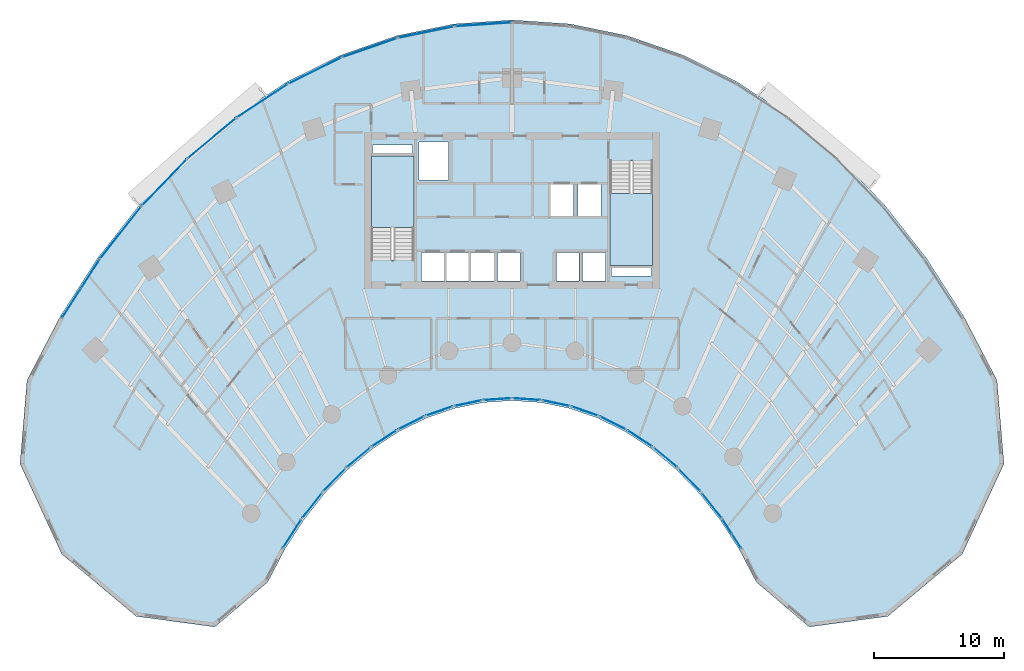
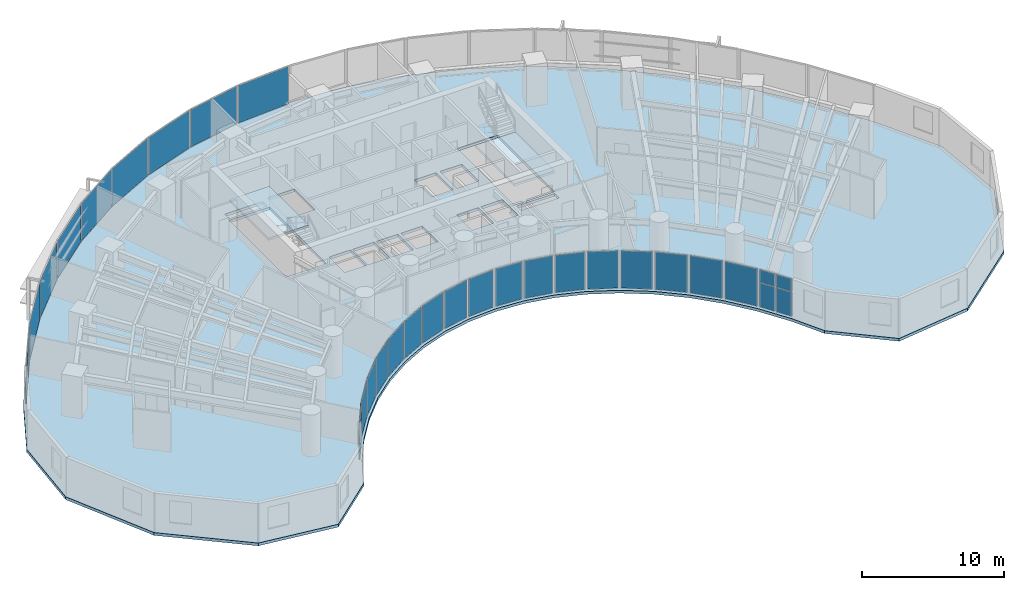
# One storey, part 9 of 17: 33 plates, 3 slabs, 29 elements without a shape of their own.
"""IFC4 building model written with IfcOpenShell, lengths in metres."""

from ifc_helpers import new_model, si_unit, direction, frame, origin, origin_2d, place, context, subcontext, project, spatial, polyline, rectangle, outline, extrude, source, transform, mapped, material, layer, layer_set, type_object, type_shapes, element, aggregate, save


model = new_model("IFC4")

# Units and contexts
model_context = context("Model", 3, precision=1e-05, world=origin(), true_north=direction((0.0, 1.0)))
body_context = subcontext(model_context, "Body", "Model", "MODEL_VIEW")
ifc_project = project(units=[si_unit("LENGTHUNIT", "METRE"), si_unit("AREAUNIT", "SQUARE_METRE"), si_unit("VOLUMEUNIT", "CUBIC_METRE"), si_unit("PLANEANGLEUNIT", "RADIAN"), si_unit("MASSUNIT", "GRAM", prefix="KILO")], contexts=[model_context])

# Site, building, storey
site_placement = place(None, origin())
site = spatial("IfcSite", under=ifc_project, at=site_placement, CompositionType="ELEMENT")
building_placement = place(site_placement, origin())
building = spatial("IfcBuilding", under=site, at=building_placement, Name="Breltana Convention Tower", CompositionType="ELEMENT")
storey_placement = place(building_placement, frame((0.0, 0.0, 46.199951171875)))
storey = spatial("IfcBuildingStorey", under=building, at=storey_placement, Name="L09", CompositionType="ELEMENT", Elevation=46.199951171875)

# Slab
ifc_material_1 = material(Name="Concrete C40/50", Category="concrete")
ifc_layer_1 = layer(ifc_material_1, 0.239990234375, Name="Concrete C40/50")
ifc_layer_set_1 = layer_set([ifc_layer_1], Name="Concrete C40/50")
slab_type_1 = type_object("IfcSlabType", Name="SL-HTL-240", PredefinedType="FLOOR", material=ifc_layer_set_1)
slab_1_placement = place(storey_placement, frame((0.0, 0.0, -0.239990234375)))
element("IfcSlab", 1, at=slab_1_placement, inside=storey, type_object=slab_type_1, Name="L09 Suspended Structural Floor Slab", PredefinedType="FLOOR", context=body_context, shape_type="SweptSolid", body=[
    extrude(outline(polyline([(85.229248046875, 53.173095703125), (82.687744140625, 58.054931640625), (79.791015625, 62.567626953125), (76.569091796875, 66.664794921875), (73.05419921875, 70.304931640625), (69.283203125, 73.450439453125), (65.2939453125, 76.069091796875), (61.1279296875, 78.134033203125), (56.827392578125, 79.62451171875), (52.436279296875, 80.52490234375), (48.0, 80.825927734375), (43.563720703125, 80.52490234375), (39.172607421875, 79.62451171875), (34.8720703125, 78.134033203125), (30.7060546875, 76.069091796875), (26.716796875, 73.450439453125), (22.94580078125, 70.304931640625), (19.430908203125, 66.664794921875), (16.208984375, 62.567626953125), (13.312255859375, 58.054931640625), (10.770751953125, 53.173095703125), (10.234619140625, 46.75927734375), (13.433837890625, 39.8388671875), (19.14697265625, 35.055419921875), (25.191162109375, 34.235595703125), (29.258056640625, 37.693115234375), (30.53759765625, 40.150634765625), (31.995849609375, 42.42236328125), (33.617919921875, 44.485107421875), (35.38720703125, 46.3173828125), (37.28564453125, 47.90087890625), (39.2939453125, 49.21923828125), (41.39111328125, 50.2587890625), (43.55615234375, 51.009033203125), (45.7666015625, 51.46240234375), (48.0, 51.614013671875), (50.2333984375, 51.46240234375), (52.44384765625, 51.009033203125), (54.60888671875, 50.2587890625), (56.7060546875, 49.21923828125), (58.71435546875, 47.90087890625), (60.61279296875, 46.3173828125), (62.382080078125, 44.485107421875), (64.004150390625, 42.42236328125), (65.46240234375, 40.150634765625), (66.741943359375, 37.693115234375), (70.808837890625, 34.235595703125), (76.85302734375, 35.055419921875), (82.566162109375, 39.8388671875), (85.765380859375, 46.75927734375), (85.229248046875, 53.173095703125)]), holes=[polyline([(37.199951171875, 62.385009765625), (40.469970703125, 62.385009765625), (40.469970703125, 70.39990234375), (37.199951171875, 70.39990234375), (37.199951171875, 62.385009765625)]), polyline([(55.530029296875, 62.0), (58.800048828125, 62.0), (58.800048828125, 70.014892578125), (55.530029296875, 70.014892578125), (55.530029296875, 62.0)]), polyline([(41.0400390625, 60.800048828125), (42.800048828125, 60.800048828125), (42.800048828125, 62.97998046875), (41.0400390625, 62.97998046875), (41.0400390625, 60.800048828125)]), polyline([(42.93994140625, 60.800048828125), (44.699951171875, 60.800048828125), (44.699951171875, 62.97998046875), (42.93994140625, 62.97998046875), (42.93994140625, 60.800048828125)]), polyline([(44.8701171875, 60.800048828125), (46.6298828125, 60.800048828125), (46.6298828125, 62.97998046875), (44.8701171875, 62.97998046875), (44.8701171875, 60.800048828125)]), polyline([(46.8701171875, 60.800048828125), (48.6298828125, 60.800048828125), (48.6298828125, 62.97998046875), (46.8701171875, 62.97998046875), (46.8701171875, 60.800048828125)]), polyline([(51.39990234375, 60.800048828125), (53.159912109375, 60.800048828125), (53.159912109375, 62.97998046875), (51.39990234375, 62.97998046875), (51.39990234375, 60.800048828125)]), polyline([(53.39990234375, 60.800048828125), (55.159912109375, 60.800048828125), (55.159912109375, 62.97998046875), (53.39990234375, 62.97998046875), (53.39990234375, 60.800048828125)]), polyline([(50.969970703125, 65.800048828125), (52.72998046875, 65.800048828125), (52.72998046875, 68.179931640625), (50.969970703125, 68.179931640625), (50.969970703125, 65.800048828125)]), polyline([(53.070068359375, 65.800048828125), (54.830078125, 65.800048828125), (54.830078125, 68.179931640625), (53.070068359375, 68.179931640625), (53.070068359375, 65.800048828125)]), polyline([(40.8798828125, 68.550048828125), (43.1201171875, 68.550048828125), (43.1201171875, 71.449951171875), (40.8798828125, 71.449951171875), (40.8798828125, 68.550048828125)]), polyline([(37.300048828125, 70.60009765625), (40.3798828125, 70.60009765625), (40.3798828125, 71.219970703125), (37.300048828125, 71.219970703125), (37.300048828125, 70.60009765625)]), polyline([(55.6201171875, 61.179931640625), (58.699951171875, 61.179931640625), (58.699951171875, 61.800048828125), (55.6201171875, 61.800048828125), (55.6201171875, 61.179931640625)])]), origin(), (0.0, 0.0, 1.0), 0.239990234375),
])

# Stair, slab
stair_type = type_object("IfcStairType", Name="ST-DOG-1560-R180", PredefinedType="HALF_TURN_STAIR", material=ifc_material_1)
stair_1_placement = place(storey_placement, origin())
stair_1 = element("IfcStair", 2, at=stair_1_placement, inside=storey, type_object=stair_type, Name="L09 Protected Core Exit Stair ST-1", PredefinedType="HALF_TURN_STAIR")
ifc_layer_2 = layer(ifc_material_1, 0.199951171875, Name="Concrete C40/50")
ifc_layer_set_2 = layer_set([ifc_layer_2], Name="Concrete C40/50")
slab_type_2 = type_object("IfcSlabType", Name="SL-STAIR-LANDING-200", PredefinedType="LANDING", material=ifc_layer_set_2)
slab_2_placement = place(storey_placement, frame((0.0, 0.0, 1.60009765625)))
slab_2 = element("IfcSlab", 3, at=slab_2_placement, type_object=slab_type_2, Name="ST-1 landing 1", PredefinedType="LANDING", context=body_context, shape_type="SweptSolid", body=[
    extrude(outline(polyline([(40.469970703125, 64.8798828125), (40.469970703125, 70.39990234375), (37.199951171875, 70.39990234375), (37.199951171875, 64.8798828125), (40.469970703125, 64.8798828125)])), origin(), (0.0, 0.0, 1.0), 0.199951171875),
])
aggregate(stair_1, [slab_2])

stair_2_placement = place(storey_placement, origin())
stair_2 = element("IfcStair", 4, at=stair_2_placement, inside=storey, type_object=stair_type, Name="L09 Protected Core Exit Stair ST-2", PredefinedType="HALF_TURN_STAIR")
slab_3_placement = place(storey_placement, frame((0.0, 0.0, 1.60009765625)))
slab_3 = element("IfcSlab", 5, at=slab_3_placement, type_object=slab_type_2, Name="ST-2 landing 1", PredefinedType="LANDING", context=body_context, shape_type="SweptSolid", body=[
    extrude(outline(polyline([(55.530029296875, 67.52001953125), (55.530029296875, 62.0), (58.800048828125, 62.0), (58.800048828125, 67.52001953125), (55.530029296875, 67.52001953125)])), origin(), (0.0, 0.0, 1.0), 0.199951171875),
])
aggregate(stair_2, [slab_3])

# Curtain wall, plates
ifc_material_2 = material(Name="Aluminium Anodised Bronze Frame", Category="aluminium")
ifc_layer_3 = layer(ifc_material_2, 0.18994140625, Name="Aluminium Anodised Bronze Frame")
ifc_layer_set_3 = layer_set([ifc_layer_3], Name="Aluminium Anodised Bronze Frame")
curtain_wall_type_1 = type_object("IfcCurtainWallType", Name="CW-SYS-1", PredefinedType="NOTDEFINED", material=ifc_layer_set_3)
curtain_wall_1_placement = place(storey_placement, origin())
curtain_wall_1 = element("IfcCurtainWall", 6, at=curtain_wall_1_placement, inside=storey, type_object=curtain_wall_type_1, Name="L09 inner south-court glazing 1", PredefinedType="NOTDEFINED")
ifc_material_3 = material(Name="Glass Low-E Double Glazing", Category="glass")
ifc_layer_4 = layer(ifc_material_3, 0.028076171875, Name="Glass Low-E Double Glazing")
ifc_layer_set_4 = layer_set([ifc_layer_4], Name="Glass Low-E Double Glazing")
plate_type_1 = type_object("IfcPlateType", Name="CWP-IGU-28", PredefinedType="CURTAIN_PANEL", material=ifc_layer_set_4)
shared_shape_1 = source(origin(), body_context, "Body", "SweptSolid", [
    extrude(rectangle(XDim=1.229736328125, YDim=0.028076171875, at=origin_2d()), origin(), (0.0, 0.0, 1.0), 2.06396484375),
])
plate_1_placement = place(storey_placement, frame((65.238525390625, 40.83251953125, 0.080078125), z_axis=(0.0, 0.0, 1.0), x_axis=(-0.540169576197, 0.841556194767, 0.0)))
plate_1 = element("IfcPlate", 7, at=plate_1_placement, type_object=plate_type_1, Name="CW-01 panel 1.1", PredefinedType="CURTAIN_PANEL", context=body_context, shape_type="MappedRepresentation", body=[
    mapped(shared_shape_1, transform((0.0, 0.0, 0.0), scale=1.0)),
])
plate_2_placement = place(storey_placement, frame((64.531005859375, 41.934814453125, 0.080078125), z_axis=(0.0, 0.0, 1.0), x_axis=(-0.540169576197, 0.841556194767, 0.0)))
plate_2 = element("IfcPlate", 8, at=plate_2_placement, type_object=plate_type_1, Name="CW-01 panel 2.1", PredefinedType="CURTAIN_PANEL", context=body_context, shape_type="MappedRepresentation", body=[
    mapped(shared_shape_1, transform((0.0, 0.0, 0.0), scale=1.0)),
])
shared_shape_2 = source(origin(), body_context, "Body", "SweptSolid", [
    extrude(rectangle(XDim=1.229736328125, YDim=0.028076171875, at=origin_2d()), origin(), (0.0, 0.0, 1.0), 1.055908203125),
])
plate_3_placement = place(storey_placement, frame((65.238525390625, 40.83251953125, 2.22412109375), z_axis=(0.0, 0.0, 1.0), x_axis=(-0.540169576197, 0.841556194767, 0.0)))
plate_3 = element("IfcPlate", 9, at=plate_3_placement, type_object=plate_type_1, Name="CW-01 panel 1.2", PredefinedType="CURTAIN_PANEL", context=body_context, shape_type="MappedRepresentation", body=[
    mapped(shared_shape_2, transform((0.0, 0.0, 0.0), scale=1.0)),
])
plate_4_placement = place(storey_placement, frame((64.531005859375, 41.934814453125, 2.22412109375), z_axis=(0.0, 0.0, 1.0), x_axis=(-0.540169576197, 0.841556194767, 0.0)))
plate_4 = element("IfcPlate", 10, at=plate_4_placement, type_object=plate_type_1, Name="CW-01 panel 2.2", PredefinedType="CURTAIN_PANEL", context=body_context, shape_type="MappedRepresentation", body=[
    mapped(shared_shape_2, transform((0.0, 0.0, 0.0), scale=1.0)),
])
aggregate(curtain_wall_1, [plate_1, plate_3, plate_2, plate_4])

# Curtain wall, plate
curtain_wall_2_placement = place(storey_placement, origin())
curtain_wall_2 = element("IfcCurtainWall", 11, at=curtain_wall_2_placement, inside=storey, type_object=curtain_wall_type_1, Name="L09 inner south-court glazing 2", PredefinedType="NOTDEFINED")
shared_shape_3 = source(origin(), body_context, "Body", "SweptSolid", [
    extrude(rectangle(XDim=2.464111328125, YDim=0.028076171875, at=origin_2d()), origin(), (0.0, 0.0, 1.0), 3.199951171875),
])
plate_5_placement = place(storey_placement, frame((63.334716796875, 43.56494140625, 0.080078125), z_axis=(0.0, 0.0, 1.0), x_axis=(-0.61815305034, 0.786057762734, 0.0)))
plate_5 = element("IfcPlate", 12, at=plate_5_placement, type_object=plate_type_1, Name="CW-01 panel 1.1", PredefinedType="CURTAIN_PANEL", context=body_context, shape_type="MappedRepresentation", body=[
    mapped(shared_shape_3, transform((0.0, 0.0, 0.0), scale=1.0)),
])
aggregate(curtain_wall_2, [plate_5])

curtain_wall_3_placement = place(storey_placement, origin())
curtain_wall_3 = element("IfcCurtainWall", 13, at=curtain_wall_3_placement, inside=storey, type_object=curtain_wall_type_1, Name="L09 inner south-court glazing 17", PredefinedType="NOTDEFINED")
plate_6_placement = place(storey_placement, frame((32.665283203125, 43.56494140625, 0.080078125), z_axis=(0.0, 0.0, 1.0), x_axis=(-0.61815305034, -0.786057762734, 0.0)))
plate_6 = element("IfcPlate", 14, at=plate_6_placement, type_object=plate_type_1, Name="CW-01 panel 1.1", PredefinedType="CURTAIN_PANEL", context=body_context, shape_type="MappedRepresentation", body=[
    mapped(shared_shape_3, transform((0.0, 0.0, 0.0), scale=1.0)),
])
aggregate(curtain_wall_3, [plate_6])

curtain_wall_4_placement = place(storey_placement, origin())
curtain_wall_4 = element("IfcCurtainWall", 15, at=curtain_wall_4_placement, inside=storey, type_object=curtain_wall_type_1, Name="L09 inner south-court glazing 3", PredefinedType="NOTDEFINED")
shared_shape_4 = source(origin(), body_context, "Body", "SweptSolid", [
    extrude(rectangle(XDim=2.38720703125, YDim=0.028076171875, at=origin_2d()), origin(), (0.0, 0.0, 1.0), 3.199951171875),
])
plate_7_placement = place(storey_placement, frame((61.626953125, 45.5263671875, 0.080078125), z_axis=(0.0, 0.0, 1.0), x_axis=(-0.694612029111, 0.719384548773, 0.0)))
plate_7 = element("IfcPlate", 16, at=plate_7_placement, type_object=plate_type_1, Name="CW-01 panel 1.1", PredefinedType="CURTAIN_PANEL", context=body_context, shape_type="MappedRepresentation", body=[
    mapped(shared_shape_4, transform((0.0, 0.0, 0.0), scale=1.0)),
])
aggregate(curtain_wall_4, [plate_7])

curtain_wall_5_placement = place(storey_placement, origin())
curtain_wall_5 = element("IfcCurtainWall", 17, at=curtain_wall_5_placement, inside=storey, type_object=curtain_wall_type_1, Name="L09 inner south-court glazing 16", PredefinedType="NOTDEFINED")
plate_8_placement = place(storey_placement, frame((34.373046875, 45.5263671875, 0.080078125), z_axis=(0.0, 0.0, 1.0), x_axis=(-0.694612029111, -0.719384548773, 0.0)))
plate_8 = element("IfcPlate", 18, at=plate_8_placement, type_object=plate_type_1, Name="CW-01 panel 1.1", PredefinedType="CURTAIN_PANEL", context=body_context, shape_type="MappedRepresentation", body=[
    mapped(shared_shape_4, transform((0.0, 0.0, 0.0), scale=1.0)),
])
aggregate(curtain_wall_5, [plate_8])

curtain_wall_6_placement = place(storey_placement, origin())
curtain_wall_6 = element("IfcCurtainWall", 19, at=curtain_wall_6_placement, inside=storey, type_object=curtain_wall_type_1, Name="L09 inner south-court glazing 4", PredefinedType="NOTDEFINED")
shared_shape_5 = source(origin(), body_context, "Body", "SweptSolid", [
    extrude(rectangle(XDim=2.312255859375, YDim=0.028076171875, at=origin_2d()), origin(), (0.0, 0.0, 1.0), 3.199951171875),
])
plate_9_placement = place(storey_placement, frame((59.77880859375, 47.24755859375, 0.080078125), z_axis=(0.0, 0.0, 1.0), x_axis=(-0.767939382804, 0.640522524458, 0.0)))
plate_9 = element("IfcPlate", 20, at=plate_9_placement, type_object=plate_type_1, Name="CW-01 panel 1.1", PredefinedType="CURTAIN_PANEL", context=body_context, shape_type="MappedRepresentation", body=[
    mapped(shared_shape_5, transform((0.0, 0.0, 0.0), scale=1.0)),
])
aggregate(curtain_wall_6, [plate_9])

curtain_wall_7_placement = place(storey_placement, origin())
curtain_wall_7 = element("IfcCurtainWall", 21, at=curtain_wall_7_placement, inside=storey, type_object=curtain_wall_type_1, Name="L09 inner south-court glazing 15", PredefinedType="NOTDEFINED")
plate_10_placement = place(storey_placement, frame((36.22119140625, 47.24755859375, 0.080078125), z_axis=(0.0, 0.0, 1.0), x_axis=(-0.767939382804, -0.640522524458, 0.0)))
plate_10 = element("IfcPlate", 22, at=plate_10_placement, type_object=plate_type_1, Name="CW-01 panel 1.1", PredefinedType="CURTAIN_PANEL", context=body_context, shape_type="MappedRepresentation", body=[
    mapped(shared_shape_5, transform((0.0, 0.0, 0.0), scale=1.0)),
])
aggregate(curtain_wall_7, [plate_10])

curtain_wall_8_placement = place(storey_placement, origin())
curtain_wall_8 = element("IfcCurtainWall", 23, at=curtain_wall_8_placement, inside=storey, type_object=curtain_wall_type_1, Name="L09 inner south-court glazing 5", PredefinedType="NOTDEFINED")
shared_shape_6 = source(origin(), body_context, "Body", "SweptSolid", [
    extrude(rectangle(XDim=2.2421875, YDim=0.028076171875, at=origin_2d()), origin(), (0.0, 0.0, 1.0), 3.199951171875),
])
plate_11_placement = place(storey_placement, frame((57.80908203125, 48.710693359375, 0.080078125), z_axis=(0.0, 0.0, 1.0), x_axis=(-0.835967942634, 0.548778278441, 0.0)))
plate_11 = element("IfcPlate", 24, at=plate_11_placement, type_object=plate_type_1, Name="CW-01 panel 1.1", PredefinedType="CURTAIN_PANEL", context=body_context, shape_type="MappedRepresentation", body=[
    mapped(shared_shape_6, transform((0.0, 0.0, 0.0), scale=1.0)),
])
aggregate(curtain_wall_8, [plate_11])

curtain_wall_9_placement = place(storey_placement, origin())
curtain_wall_9 = element("IfcCurtainWall", 25, at=curtain_wall_9_placement, inside=storey, type_object=curtain_wall_type_1, Name="L09 inner south-court glazing 14", PredefinedType="NOTDEFINED")
plate_12_placement = place(storey_placement, frame((38.19091796875, 48.710693359375, 0.080078125), z_axis=(0.0, 0.0, 1.0), x_axis=(-0.835967942634, -0.548778278441, 0.0)))
plate_12 = element("IfcPlate", 26, at=plate_12_placement, type_object=plate_type_1, Name="CW-01 panel 1.1", PredefinedType="CURTAIN_PANEL", context=body_context, shape_type="MappedRepresentation", body=[
    mapped(shared_shape_6, transform((0.0, 0.0, 0.0), scale=1.0)),
])
aggregate(curtain_wall_9, [plate_12])

curtain_wall_10_placement = place(storey_placement, origin())
curtain_wall_10 = element("IfcCurtainWall", 27, at=curtain_wall_10_placement, inside=storey, type_object=curtain_wall_type_1, Name="L09 inner south-court glazing 6", PredefinedType="NOTDEFINED")
shared_shape_7 = source(origin(), body_context, "Body", "SweptSolid", [
    extrude(rectangle(XDim=2.180908203125, YDim=0.028076171875, at=origin_2d()), origin(), (0.0, 0.0, 1.0), 3.199951171875),
])
plate_13_placement = place(storey_placement, frame((55.7373046875, 49.900390625, 0.080078125), z_axis=(0.0, 0.0, 1.0), x_axis=(-0.895968310315, 0.444117987602, 0.0)))
plate_13 = element("IfcPlate", 28, at=plate_13_placement, type_object=plate_type_1, Name="CW-01 panel 1.1", PredefinedType="CURTAIN_PANEL", context=body_context, shape_type="MappedRepresentation", body=[
    mapped(shared_shape_7, transform((0.0, 0.0, 0.0), scale=1.0)),
])
aggregate(curtain_wall_10, [plate_13])

curtain_wall_11_placement = place(storey_placement, origin())
curtain_wall_11 = element("IfcCurtainWall", 29, at=curtain_wall_11_placement, inside=storey, type_object=curtain_wall_type_1, Name="L09 inner south-court glazing 13", PredefinedType="NOTDEFINED")
plate_14_placement = place(storey_placement, frame((40.2626953125, 49.900390625, 0.080078125), z_axis=(0.0, 0.0, 1.0), x_axis=(-0.895968310315, -0.444117987602, 0.0)))
plate_14 = element("IfcPlate", 30, at=plate_14_placement, type_object=plate_type_1, Name="CW-01 panel 1.1", PredefinedType="CURTAIN_PANEL", context=body_context, shape_type="MappedRepresentation", body=[
    mapped(shared_shape_7, transform((0.0, 0.0, 0.0), scale=1.0)),
])
aggregate(curtain_wall_11, [plate_14])

curtain_wall_12_placement = place(storey_placement, origin())
curtain_wall_12 = element("IfcCurtainWall", 31, at=curtain_wall_12_placement, inside=storey, type_object=curtain_wall_type_1, Name="L09 inner south-court glazing 7", PredefinedType="NOTDEFINED")
shared_shape_8 = source(origin(), body_context, "Body", "SweptSolid", [
    extrude(rectangle(XDim=2.13134765625, YDim=0.028076171875, at=origin_2d()), origin(), (0.0, 0.0, 1.0), 3.199951171875),
])
plate_15_placement = place(storey_placement, frame((53.585205078125, 50.80419921875, 0.080078125), z_axis=(0.0, 0.0, 1.0), x_axis=(-0.944881211406, 0.327413341714, 0.0)))
plate_15 = element("IfcPlate", 32, at=plate_15_placement, type_object=plate_type_1, Name="CW-01 panel 1.1", PredefinedType="CURTAIN_PANEL", context=body_context, shape_type="MappedRepresentation", body=[
    mapped(shared_shape_8, transform((0.0, 0.0, 0.0), scale=1.0)),
])
aggregate(curtain_wall_12, [plate_15])

curtain_wall_13_placement = place(storey_placement, origin())
curtain_wall_13 = element("IfcCurtainWall", 33, at=curtain_wall_13_placement, inside=storey, type_object=curtain_wall_type_1, Name="L09 inner south-court glazing 12", PredefinedType="NOTDEFINED")
plate_16_placement = place(storey_placement, frame((42.414794921875, 50.80419921875, 0.080078125), z_axis=(0.0, 0.0, 1.0), x_axis=(-0.944881211406, -0.327413341714, 0.0)))
plate_16 = element("IfcPlate", 34, at=plate_16_placement, type_object=plate_type_1, Name="CW-01 panel 1.1", PredefinedType="CURTAIN_PANEL", context=body_context, shape_type="MappedRepresentation", body=[
    mapped(shared_shape_8, transform((0.0, 0.0, 0.0), scale=1.0)),
])
aggregate(curtain_wall_13, [plate_16])

curtain_wall_14_placement = place(storey_placement, origin())
curtain_wall_14 = element("IfcCurtainWall", 35, at=curtain_wall_14_placement, inside=storey, type_object=curtain_wall_type_1, Name="L09 inner south-court glazing 8", PredefinedType="NOTDEFINED")
shared_shape_9 = source(origin(), body_context, "Body", "SweptSolid", [
    extrude(rectangle(XDim=2.096435546875, YDim=0.028076171875, at=origin_2d()), origin(), (0.0, 0.0, 1.0), 3.199951171875),
])
plate_17_placement = place(storey_placement, frame((51.374755859375, 51.412109375, 0.080078125), z_axis=(0.0, 0.0, 1.0), x_axis=(-0.97961455393, 0.200886350278, 0.0)))
plate_17 = element("IfcPlate", 36, at=plate_17_placement, type_object=plate_type_1, Name="CW-01 panel 1.1", PredefinedType="CURTAIN_PANEL", context=body_context, shape_type="MappedRepresentation", body=[
    mapped(shared_shape_9, transform((0.0, 0.0, 0.0), scale=1.0)),
])
aggregate(curtain_wall_14, [plate_17])

curtain_wall_15_placement = place(storey_placement, origin())
curtain_wall_15 = element("IfcCurtainWall", 37, at=curtain_wall_15_placement, inside=storey, type_object=curtain_wall_type_1, Name="L09 inner south-court glazing 11", PredefinedType="NOTDEFINED")
plate_18_placement = place(storey_placement, frame((44.625244140625, 51.412109375, 0.080078125), z_axis=(0.0, 0.0, 1.0), x_axis=(-0.97961455393, -0.200886350278, 0.0)))
plate_18 = element("IfcPlate", 38, at=plate_18_placement, type_object=plate_type_1, Name="CW-01 panel 1.1", PredefinedType="CURTAIN_PANEL", context=body_context, shape_type="MappedRepresentation", body=[
    mapped(shared_shape_9, transform((0.0, 0.0, 0.0), scale=1.0)),
])
aggregate(curtain_wall_15, [plate_18])

curtain_wall_16_placement = place(storey_placement, origin())
curtain_wall_16 = element("IfcCurtainWall", 39, at=curtain_wall_16_placement, inside=storey, type_object=curtain_wall_type_1, Name="L09 inner south-court glazing 9", PredefinedType="NOTDEFINED")
shared_shape_10 = source(origin(), body_context, "Body", "SweptSolid", [
    extrude(rectangle(XDim=2.078369140625, YDim=0.028076171875, at=origin_2d()), origin(), (0.0, 0.0, 1.0), 3.199951171875),
])
plate_19_placement = place(storey_placement, frame((49.12890625, 51.7177734375, 0.080078125), z_axis=(0.0, 0.0, 1.0), x_axis=(-0.997703975371, 0.067725752326, 0.0)))
plate_19 = element("IfcPlate", 40, at=plate_19_placement, type_object=plate_type_1, Name="CW-01 panel 1.1", PredefinedType="CURTAIN_PANEL", context=body_context, shape_type="MappedRepresentation", body=[
    mapped(shared_shape_10, transform((0.0, 0.0, 0.0), scale=1.0)),
])
aggregate(curtain_wall_16, [plate_19])

curtain_wall_17_placement = place(storey_placement, origin())
curtain_wall_17 = element("IfcCurtainWall", 41, at=curtain_wall_17_placement, inside=storey, type_object=curtain_wall_type_1, Name="L09 inner south-court glazing 10", PredefinedType="NOTDEFINED")
plate_20_placement = place(storey_placement, frame((46.87109375, 51.7177734375, 0.080078125), z_axis=(0.0, 0.0, 1.0), x_axis=(-0.997703975371, -0.067725752326, 0.0)))
plate_20 = element("IfcPlate", 42, at=plate_20_placement, type_object=plate_type_1, Name="CW-01 panel 1.1", PredefinedType="CURTAIN_PANEL", context=body_context, shape_type="MappedRepresentation", body=[
    mapped(shared_shape_10, transform((0.0, 0.0, 0.0), scale=1.0)),
])
aggregate(curtain_wall_17, [plate_20])

curtain_wall_18_placement = place(storey_placement, origin())
curtain_wall_18 = element("IfcCurtainWall", 43, at=curtain_wall_18_placement, inside=storey, type_object=curtain_wall_type_1, Name="L09 inner south-court glazing 18", PredefinedType="NOTDEFINED")
shared_shape_11 = source(origin(), body_context, "Body", "SweptSolid", [
    extrude(rectangle(XDim=2.53955078125, YDim=0.028076171875, at=origin_2d()), origin(), (0.0, 0.0, 1.0), 3.199951171875),
])
plate_21_placement = place(storey_placement, frame((31.115234375, 41.3837890625, 0.080078125), z_axis=(0.0, 0.0, 1.0), x_axis=(-0.540169576197, -0.841556194767, 0.0)))
plate_21 = element("IfcPlate", 44, at=plate_21_placement, type_object=plate_type_1, Name="CW-01 panel 1.1", PredefinedType="CURTAIN_PANEL", context=body_context, shape_type="MappedRepresentation", body=[
    mapped(shared_shape_11, transform((0.0, 0.0, 0.0), scale=1.0)),
])
aggregate(curtain_wall_18, [plate_21])

# Curtain wall, plates
ifc_layer_5 = layer(ifc_material_2, 0.199951171875, Name="Aluminium Anodised Bronze Frame")
ifc_layer_set_5 = layer_set([ifc_layer_5], Name="Aluminium Anodised Bronze Frame")
curtain_wall_type_2 = type_object("IfcCurtainWallType", Name="CW-SYS-2", PredefinedType="NOTDEFINED", material=ifc_layer_set_5)
curtain_wall_19_placement = place(storey_placement, origin())
curtain_wall_19 = element("IfcCurtainWall", 45, at=curtain_wall_19_placement, inside=storey, type_object=curtain_wall_type_2, Name="L09 outer double-skin inner glazing 1", PredefinedType="NOTDEFINED")
ifc_layer_6 = layer(ifc_material_3, 0.031982421875, Name="Glass Low-E Double Glazing")
ifc_layer_set_6 = layer_set([ifc_layer_6], Name="Glass Low-E Double Glazing")
plate_type_2 = type_object("IfcPlateType", Name="CWP-IGU-32", PredefinedType="CURTAIN_PANEL", material=ifc_layer_set_6)
shared_shape_12 = source(origin(), body_context, "Body", "SweptSolid", [
    extrude(rectangle(XDim=2.56787109375, YDim=0.031982421875, at=origin_2d()), origin(), (0.0, 0.0, 1.0), 2.0791015625),
])
type_shapes(plate_type_2, [shared_shape_12])
plate_22_placement = place(storey_placement, frame((14.199462890625, 59.103759765625, 0.070068359375), z_axis=(0.0, 0.0, 1.0), x_axis=(0.540180724109, 0.841549039154, 0.0)))
plate_22 = element("IfcPlate", 46, at=plate_22_placement, type_object=plate_type_2, Name="CW-02 panel 1.1", PredefinedType="CURTAIN_PANEL", context=body_context, shape_type="MappedRepresentation", body=[
    mapped(shared_shape_12, transform((0.0, 0.0, 0.0), scale=1.0)),
])
plate_23_placement = place(storey_placement, frame((15.624267578125, 61.32373046875, 0.070068359375), z_axis=(0.0, 0.0, 1.0), x_axis=(0.540180724109, 0.841549039154, 0.0)))
plate_23 = element("IfcPlate", 47, at=plate_23_placement, type_object=plate_type_2, Name="CW-02 panel 2.1", PredefinedType="CURTAIN_PANEL", context=body_context, shape_type="MappedRepresentation", body=[
    mapped(shared_shape_12, transform((0.0, 0.0, 0.0), scale=1.0)),
])
shared_shape_13 = source(origin(), body_context, "Body", "SweptSolid", [
    extrude(rectangle(XDim=2.56787109375, YDim=0.031982421875, at=origin_2d()), origin(), (0.0, 0.0, 1.0), 1.071044921875),
])
plate_24_placement = place(storey_placement, frame((14.199462890625, 59.103759765625, 2.21923828125), z_axis=(0.0, 0.0, 1.0), x_axis=(0.540180724109, 0.841549039154, 0.0)))
plate_24 = element("IfcPlate", 48, at=plate_24_placement, type_object=plate_type_2, Name="CW-02 panel 1.2", PredefinedType="CURTAIN_PANEL", context=body_context, shape_type="MappedRepresentation", body=[
    mapped(shared_shape_13, transform((0.0, 0.0, 0.0), scale=1.0)),
])
plate_25_placement = place(storey_placement, frame((15.624267578125, 61.32373046875, 2.21923828125), z_axis=(0.0, 0.0, 1.0), x_axis=(0.540180724109, 0.841549039154, 0.0)))
plate_25 = element("IfcPlate", 49, at=plate_25_placement, type_object=plate_type_2, Name="CW-02 panel 2.2", PredefinedType="CURTAIN_PANEL", context=body_context, shape_type="MappedRepresentation", body=[
    mapped(shared_shape_13, transform((0.0, 0.0, 0.0), scale=1.0)),
])
aggregate(curtain_wall_19, [plate_22, plate_24, plate_23, plate_25])

# Curtain wall, plate
curtain_wall_20_placement = place(storey_placement, origin())
curtain_wall_20 = element("IfcCurtainWall", 50, at=curtain_wall_20_placement, inside=storey, type_object=curtain_wall_type_2, Name="L09 outer double-skin inner glazing 2", PredefinedType="NOTDEFINED")
shared_shape_14 = source(origin(), body_context, "Body", "SweptSolid", [
    extrude(rectangle(XDim=5.0546875, YDim=0.031982421875, at=origin_2d()), origin(), (0.0, 0.0, 1.0), 3.219970703125),
])
plate_26_placement = place(storey_placement, frame((17.961181640625, 64.504638671875, 0.06982421875), z_axis=(0.0, 0.0, 1.0), x_axis=(0.618153917633, 0.786057080698, 0.0)))
plate_26 = element("IfcPlate", 51, at=plate_26_placement, type_object=plate_type_2, Name="CW-02 panel 1.1", PredefinedType="CURTAIN_PANEL", context=body_context, shape_type="MappedRepresentation", body=[
    mapped(shared_shape_14, transform((0.0, 0.0, 0.0), scale=1.0)),
])
aggregate(curtain_wall_20, [plate_26])

curtain_wall_21_placement = place(storey_placement, origin())
curtain_wall_21 = element("IfcCurtainWall", 52, at=curtain_wall_21_placement, inside=storey, type_object=curtain_wall_type_2, Name="L09 outer double-skin inner glazing 3", PredefinedType="NOTDEFINED")
shared_shape_15 = source(origin(), body_context, "Body", "SweptSolid", [
    extrude(rectangle(XDim=4.901123046875, YDim=0.031982421875, at=origin_2d()), origin(), (0.0, 0.0, 1.0), 3.219970703125),
])
plate_27_placement = place(storey_placement, frame((21.317626953125, 68.359619140625, 0.06982421875), z_axis=(0.0, 0.0, 1.0), x_axis=(0.694610090106, 0.719386421003, 0.0)))
plate_27 = element("IfcPlate", 53, at=plate_27_placement, type_object=plate_type_2, Name="CW-02 panel 1.1", PredefinedType="CURTAIN_PANEL", context=body_context, shape_type="MappedRepresentation", body=[
    mapped(shared_shape_15, transform((0.0, 0.0, 0.0), scale=1.0)),
])
aggregate(curtain_wall_21, [plate_27])

curtain_wall_22_placement = place(storey_placement, origin())
curtain_wall_22 = element("IfcCurtainWall", 54, at=curtain_wall_22_placement, inside=storey, type_object=curtain_wall_type_2, Name="L09 outer double-skin inner glazing 4", PredefinedType="NOTDEFINED")
shared_shape_16 = source(origin(), body_context, "Body", "SweptSolid", [
    extrude(rectangle(XDim=4.7509765625, YDim=0.031982421875, at=origin_2d()), origin(), (0.0, 0.0, 1.0), 3.219970703125),
])
plate_28_placement = place(storey_placement, frame((24.9462890625, 71.7392578125, 0.06982421875), z_axis=(0.0, 0.0, 1.0), x_axis=(0.767941326958, 0.640520193554, 0.0)))
plate_28 = element("IfcPlate", 55, at=plate_28_placement, type_object=plate_type_2, Name="CW-02 panel 1.1", PredefinedType="CURTAIN_PANEL", context=body_context, shape_type="MappedRepresentation", body=[
    mapped(shared_shape_16, transform((0.0, 0.0, 0.0), scale=1.0)),
])
aggregate(curtain_wall_22, [plate_28])

curtain_wall_23_placement = place(storey_placement, origin())
curtain_wall_23 = element("IfcCurtainWall", 56, at=curtain_wall_23_placement, inside=storey, type_object=curtain_wall_type_2, Name="L09 outer double-skin inner glazing 5", PredefinedType="NOTDEFINED")
shared_shape_17 = source(origin(), body_context, "Body", "SweptSolid", [
    extrude(rectangle(XDim=4.610595703125, YDim=0.031982421875, at=origin_2d()), origin(), (0.0, 0.0, 1.0), 3.219970703125),
])
plate_29_placement = place(storey_placement, frame((28.81005859375, 74.609130859375, 0.06982421875), z_axis=(0.0, 0.0, 1.0), x_axis=(0.83596401875, 0.548784255746, 0.0)))
plate_29 = element("IfcPlate", 57, at=plate_29_placement, type_object=plate_type_2, Name="CW-02 panel 1.1", PredefinedType="CURTAIN_PANEL", context=body_context, shape_type="MappedRepresentation", body=[
    mapped(shared_shape_17, transform((0.0, 0.0, 0.0), scale=1.0)),
])
aggregate(curtain_wall_23, [plate_29])

curtain_wall_24_placement = place(storey_placement, origin())
curtain_wall_24 = element("IfcCurtainWall", 58, at=curtain_wall_24_placement, inside=storey, type_object=curtain_wall_type_2, Name="L09 outer double-skin inner glazing 6", PredefinedType="NOTDEFINED")
shared_shape_18 = source(origin(), body_context, "Body", "SweptSolid", [
    extrude(rectangle(XDim=4.487548828125, YDim=0.031982421875, at=origin_2d()), origin(), (0.0, 0.0, 1.0), 3.219970703125),
])
plate_30_placement = place(storey_placement, frame((32.86865234375, 76.940185546875, 0.06982421875), z_axis=(0.0, 0.0, 1.0), x_axis=(0.895973407804, 0.444107703726, 0.0)))
plate_30 = element("IfcPlate", 59, at=plate_30_placement, type_object=plate_type_2, Name="CW-02 panel 1.1", PredefinedType="CURTAIN_PANEL", context=body_context, shape_type="MappedRepresentation", body=[
    mapped(shared_shape_18, transform((0.0, 0.0, 0.0), scale=1.0)),
])
aggregate(curtain_wall_24, [plate_30])

curtain_wall_25_placement = place(storey_placement, origin())
curtain_wall_25 = element("IfcCurtainWall", 60, at=curtain_wall_25_placement, inside=storey, type_object=curtain_wall_type_2, Name="L09 outer double-skin inner glazing 7", PredefinedType="NOTDEFINED")
shared_shape_19 = source(origin(), body_context, "Body", "SweptSolid", [
    extrude(rectangle(XDim=4.388427734375, YDim=0.031982421875, at=origin_2d()), origin(), (0.0, 0.0, 1.0), 3.219970703125),
])
plate_31_placement = place(storey_placement, frame((37.0810546875, 78.709228515625, 0.06982421875), z_axis=(0.0, 0.0, 1.0), x_axis=(0.944876012163, 0.32742834581, 0.0)))
plate_31 = element("IfcPlate", 61, at=plate_31_placement, type_object=plate_type_2, Name="CW-02 panel 1.1", PredefinedType="CURTAIN_PANEL", context=body_context, shape_type="MappedRepresentation", body=[
    mapped(shared_shape_19, transform((0.0, 0.0, 0.0), scale=1.0)),
])
aggregate(curtain_wall_25, [plate_31])

curtain_wall_26_placement = place(storey_placement, origin())
curtain_wall_26 = element("IfcCurtainWall", 62, at=curtain_wall_26_placement, inside=storey, type_object=curtain_wall_type_2, Name="L09 outer double-skin inner glazing 8", PredefinedType="NOTDEFINED")
shared_shape_20 = source(origin(), body_context, "Body", "SweptSolid", [
    extrude(rectangle(XDim=4.318359375, YDim=0.031982421875, at=origin_2d()), origin(), (0.0, 0.0, 1.0), 3.219970703125),
])
plate_32_placement = place(storey_placement, frame((41.404296875, 79.898193359375, 0.06982421875), z_axis=(0.0, 0.0, 1.0), x_axis=(0.979614925743, 0.200884537139, 0.0)))
plate_32 = element("IfcPlate", 63, at=plate_32_placement, type_object=plate_type_2, Name="CW-02 panel 1.1", PredefinedType="CURTAIN_PANEL", context=body_context, shape_type="MappedRepresentation", body=[
    mapped(shared_shape_20, transform((0.0, 0.0, 0.0), scale=1.0)),
])
aggregate(curtain_wall_26, [plate_32])

curtain_wall_27_placement = place(storey_placement, origin())
curtain_wall_27 = element("IfcCurtainWall", 64, at=curtain_wall_27_placement, inside=storey, type_object=curtain_wall_type_2, Name="L09 outer double-skin inner glazing 9", PredefinedType="NOTDEFINED")
shared_shape_21 = source(origin(), body_context, "Body", "SweptSolid", [
    extrude(rectangle(XDim=4.2822265625, YDim=0.031982421875, at=origin_2d()), origin(), (0.0, 0.0, 1.0), 3.219970703125),
])
plate_33_placement = place(storey_placement, frame((45.7939453125, 80.495849609375, 0.06982421875), z_axis=(0.0, 0.0, 1.0), x_axis=(0.997703982282, 0.067725650529, 0.0)))
plate_33 = element("IfcPlate", 65, at=plate_33_placement, type_object=plate_type_2, Name="CW-02 panel 1.1", PredefinedType="CURTAIN_PANEL", context=body_context, shape_type="MappedRepresentation", body=[
    mapped(shared_shape_21, transform((0.0, 0.0, 0.0), scale=1.0)),
])
aggregate(curtain_wall_27, [plate_33])

save(model, "model.ifc")
